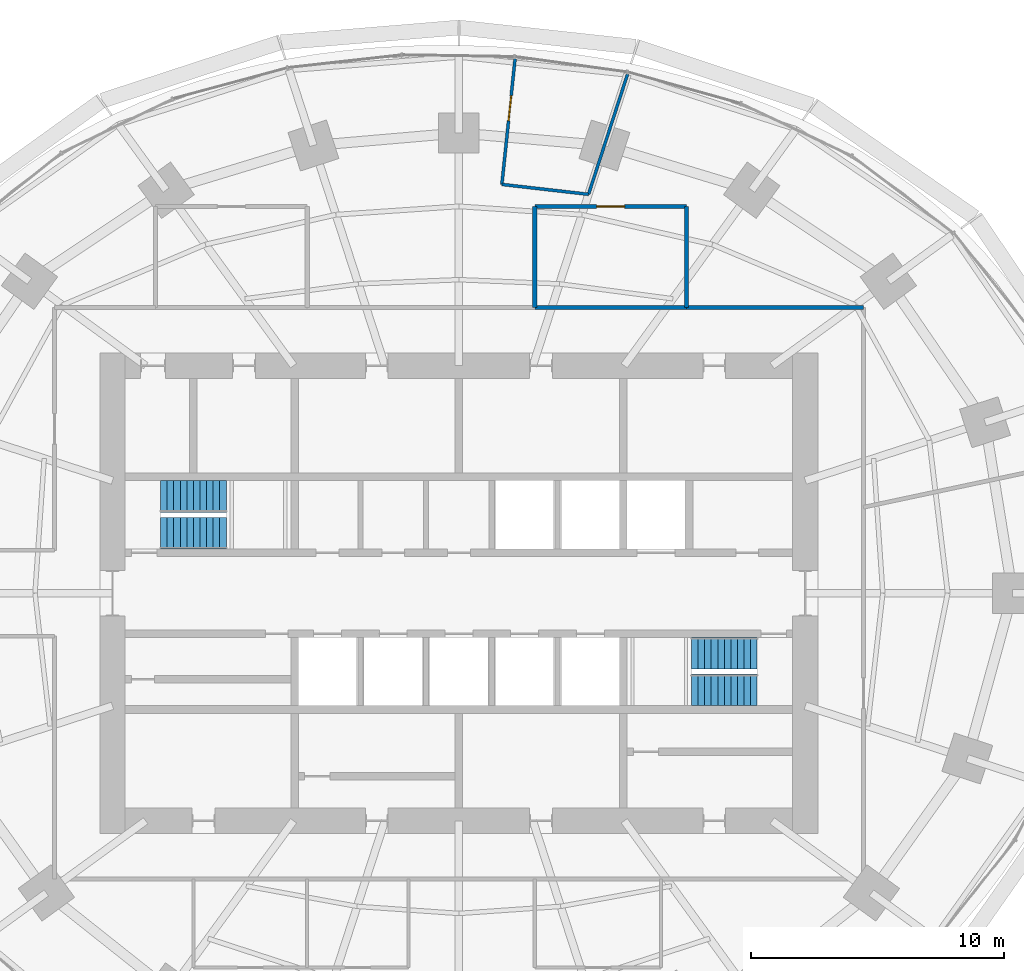
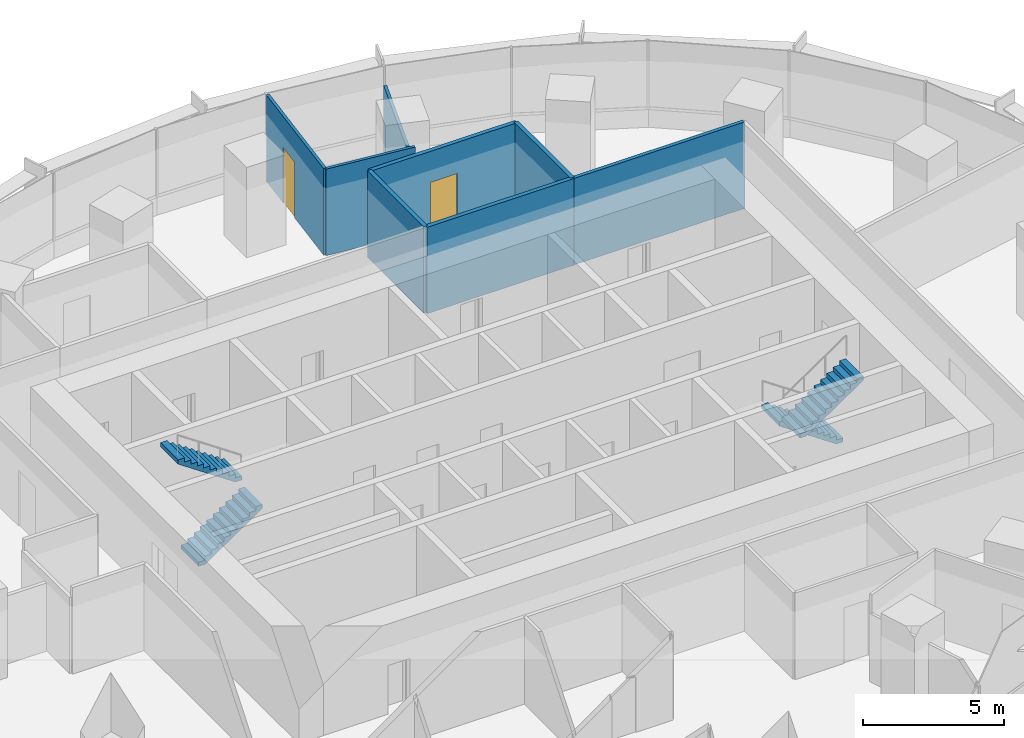
# One storey, part 12 of 14: 8 walls, 4 stair flights, 2 doors, 2 openings, 2 elements without a shape of their own.
"""IFC4 building model written with IfcOpenShell, lengths in metres."""

from ifc_helpers import new_model, si_unit, direction, frame, frame_2d, origin, place, context, subcontext, project, spatial, polyline, rectangle, outline, extrude, material, layer, layer_set, type_object, element, fill, aggregate, save


model = new_model("IFC4")

# Units and contexts
model_context = context("Model", 3, precision=1e-05, world=origin(), true_north=direction((0.0, 1.0)))
body_context = subcontext(model_context, "Body", "Model", "MODEL_VIEW")
ifc_project = project(units=[si_unit("LENGTHUNIT", "METRE"), si_unit("AREAUNIT", "SQUARE_METRE"), si_unit("VOLUMEUNIT", "CUBIC_METRE"), si_unit("PLANEANGLEUNIT", "RADIAN"), si_unit("MASSUNIT", "GRAM", prefix="KILO")], contexts=[model_context])

# Site, building, storey
site_placement = place(None, origin())
site = spatial("IfcSite", under=ifc_project, at=site_placement, CompositionType="ELEMENT")
building_placement = place(site_placement, origin())
building = spatial("IfcBuilding", under=site, at=building_placement, Name="Marramba Exchange Tower", CompositionType="ELEMENT")
storey_placement = place(building_placement, frame((0.0, 0.0, 108.0)))
storey = spatial("IfcBuildingStorey", under=building, at=storey_placement, Name="L25", CompositionType="ELEMENT", Elevation=108.0)

# Walls
ifc_material_1 = material(Name="Plasterboard on staggered double steel studs, acoustic insulation", Category="steel")
ifc_layer_1 = layer(ifc_material_1, 0.169921875)
ifc_layer_set_1 = layer_set([ifc_layer_1], Name="Acoustic partition 170")
wall_type_1 = type_object("IfcWallType", Name="Acoustic partition 170", PredefinedType="PARTITIONING", material=ifc_layer_set_1)
wall_1_placement = place(storey_placement, frame((9.0, 11.300048828125, 0.0), z_axis=(0.0, 0.0, 1.0), x_axis=(0.0, 1.0, 0.0)))
element("IfcWall", 1, at=wall_1_placement, inside=storey, type_object=wall_type_1, Name="Acoustic partition L25 20", PredefinedType="PARTITIONING", context=body_context, shape_type="SweptSolid", body=[
    extrude(rectangle(XDim=4.0, YDim=0.169921875, at=frame_2d((2.0, 0.0))), origin(), (0.0, 0.0, 1.0), 3.739990234375),
])
wall_2_placement = place(storey_placement, frame((3.0, 11.300048828125, 0.0), z_axis=(0.0, 0.0, 1.0), x_axis=(1.0, 0.0, 0.0)))
element("IfcWall", 2, at=wall_2_placement, inside=storey, type_object=wall_type_1, Name="Acoustic partition L25 21", PredefinedType="PARTITIONING", context=body_context, shape_type="SweptSolid", body=[
    extrude(rectangle(XDim=6.0, YDim=0.169921875, at=frame_2d((3.0, 0.0))), origin(), (0.0, 0.0, 1.0), 3.739990234375),
])

# Wall, opening, door
wall_3_placement = place(storey_placement, frame((9.0, 15.300048828125, 0.0), z_axis=(0.0, 0.0, 1.0), x_axis=(-1.0, 0.0, 0.0)))
wall_3 = element("IfcWall", 3, at=wall_3_placement, inside=storey, type_object=wall_type_1, Name="Acoustic partition L25 22", PredefinedType="PARTITIONING", context=body_context, shape_type="SweptSolid", body=[
    extrude(rectangle(XDim=6.0, YDim=0.169921875, at=frame_2d((3.0, 0.0))), origin(), (0.0, 0.0, 1.0), 3.739990234375),
])
opening_1_placement = place(wall_3_placement, frame((2.449951171875, 0.0, 0.0)))
opening_1 = element("IfcOpeningElement", 4, at=opening_1_placement, cuts=wall_3, Name="Opening D15", PredefinedType="OPENING", context=body_context, shape_type="SweptSolid", body=[
    extrude(rectangle(XDim=1.10009765625, YDim=2.39990234375, at=frame_2d((0.550048828125, 1.199951171875))), frame((0.0, 0.094970703125, 0.0), z_axis=(0.0, -1.0, 0.0), x_axis=(1.0, 0.0, 0.0)), (0.0, 0.0, 1.0), 0.18994140625),
])
ifc_material_2 = material(Name="Timber door", Category="wood")
door_type_1 = type_object("IfcDoorType", Name="Glazed meeting room door 1100x2400", OperationType="SINGLE_SWING_LEFT", PredefinedType="DOOR", material=ifc_material_2)
door_1_placement = place(opening_1_placement, origin())
door_1 = element("IfcDoor", 5, at=door_1_placement, inside=storey, type_object=door_type_1, Name="D15 Meeting Room 1 L25", OperationType="SINGLE_SWING_RIGHT", OverallHeight=2.39990234375, OverallWidth=1.10009765625, PredefinedType="DOOR", context=body_context, shape_type="SweptSolid", body=[
    extrude(rectangle(XDim=1.10009765625, YDim=2.39990234375, at=frame_2d((0.550048828125, 1.199951171875))), frame((0.0, 0.02490234375, 0.0), z_axis=(0.0, -1.0, 0.0), x_axis=(1.0, 0.0, 0.0)), (0.0, 0.0, 1.0), 0.050048828125),
])
fill(opening_1, door_1)

# Walls
wall_4_placement = place(storey_placement, frame((3.0, 15.300048828125, 0.0), z_axis=(0.0, 0.0, 1.0), x_axis=(0.0, -1.0, 0.0)))
element("IfcWall", 6, at=wall_4_placement, inside=storey, type_object=wall_type_1, Name="Acoustic partition L25 24", PredefinedType="PARTITIONING", context=body_context, shape_type="SweptSolid", body=[
    extrude(rectangle(XDim=4.0, YDim=0.169921875, at=frame_2d((2.0, 0.0))), origin(), (0.0, 0.0, 1.0), 3.739990234375),
])
ifc_material_3 = material(Name="Plasterboard on steel studs", Category="steel")
ifc_layer_2 = layer(ifc_material_3, 0.1201171875)
ifc_layer_set_2 = layer_set([ifc_layer_2], Name="Partition 120")
wall_type_2 = type_object("IfcWallType", Name="Partition 120", PredefinedType="PARTITIONING", material=ifc_layer_set_2)
wall_5_placement = place(storey_placement, frame((5.12646484375, 15.77783203125, 0.0), z_axis=(0.0, 0.0, 1.0), x_axis=(0.309026452484, 0.951053443117, 0.0)))
element("IfcWall", 7, at=wall_5_placement, inside=storey, type_object=wall_type_2, Name="Partition L25 23", PredefinedType="PARTITIONING", context=body_context, shape_type="SweptSolid", body=[
    extrude(rectangle(XDim=5.0, YDim=0.1201171875, at=frame_2d((2.5, 0.0))), origin(), (0.0, 0.0, 1.0), 2.93994140625),
])
wall_6_placement = place(storey_placement, frame((1.699462890625, 16.169189453125, 0.0), z_axis=(0.0, 0.0, 1.0), x_axis=(0.993542478944, -0.113460753277, 0.0)))
element("IfcWall", 8, at=wall_6_placement, inside=storey, type_object=wall_type_2, Name="Partition L25 25", PredefinedType="PARTITIONING", context=body_context, shape_type="SweptSolid", body=[
    extrude(rectangle(XDim=3.44921875, YDim=0.1201171875, at=frame_2d((1.724609375, 0.0))), origin(), (0.0, 0.0, 1.0), 3.739990234375),
])

# Wall, opening, door
wall_7_placement = place(storey_placement, frame((2.22216796875, 21.1416015625, 0.0), z_axis=(0.0, 0.0, 1.0), x_axis=(-0.104544982588, -0.994520158979, 0.0)))
wall_7 = element("IfcWall", 9, at=wall_7_placement, inside=storey, type_object=wall_type_2, Name="Partition L25 26", PredefinedType="PARTITIONING", context=body_context, shape_type="SweptSolid", body=[
    extrude(rectangle(XDim=4.999755859375, YDim=0.1201171875, at=frame_2d((2.5, 0.0))), origin(), (0.0, 0.0, 1.0), 3.739990234375),
])
opening_2_placement = place(wall_7_placement, frame((1.467041015625, 0.0, 0.0)))
opening_2 = element("IfcOpeningElement", 10, at=opening_2_placement, cuts=wall_7, Name="Opening D9", PredefinedType="OPENING", context=body_context, shape_type="SweptSolid", body=[
    extrude(rectangle(XDim=1.0, YDim=2.39990234375, at=frame_2d((0.5, 1.199951171875))), frame((0.0, 0.070068359375, 0.0), z_axis=(0.0, -1.0, 0.0), x_axis=(1.0, 0.0, 0.0)), (0.0, 0.0, 1.0), 0.14013671875),
])
door_type_2 = type_object("IfcDoorType", Name="Room door 1000x2400", OperationType="SINGLE_SWING_LEFT", PredefinedType="DOOR", material=ifc_material_2)
door_2_placement = place(opening_2_placement, origin())
door_2 = element("IfcDoor", 11, at=door_2_placement, inside=storey, type_object=door_type_2, Name="D9 Office 3 L25", OperationType="SINGLE_SWING_LEFT", OverallHeight=2.39990234375, OverallWidth=1.0, PredefinedType="DOOR", context=body_context, shape_type="SweptSolid", body=[
    extrude(rectangle(XDim=1.0, YDim=2.39990234375, at=frame_2d((0.5, 1.199951171875))), frame((0.0, 0.02490234375, 0.0), z_axis=(0.0, -1.0, 0.0), x_axis=(1.0, 0.0, 0.0)), (0.0, 0.0, 1.0), 0.050048828125),
])
fill(opening_2, door_2)

# Wall
ifc_material_4 = material(Name="Fire-rated plasterboard on steel studs, acoustic insulation", Category="steel")
ifc_layer_3 = layer(ifc_material_4, 0.14990234375)
ifc_layer_set_3 = layer_set([ifc_layer_3], Name="Tenancy wall 150")
wall_type_3 = type_object("IfcWallType", Name="Tenancy wall 150", PredefinedType="PARTITIONING", material=ifc_layer_set_3)
wall_8_placement = place(storey_placement, frame((16.0, 11.300048828125, 0.0), z_axis=(0.0, 0.0, 1.0), x_axis=(-1.0, 0.0, 0.0)))
element("IfcWall", 12, at=wall_8_placement, inside=storey, type_object=wall_type_3, Name="Tenancy wall L25 19", PredefinedType="PARTITIONING", context=body_context, shape_type="SweptSolid", body=[
    extrude(rectangle(XDim=7.0, YDim=0.14990234375, at=frame_2d((3.5, 0.0))), origin(), (0.0, 0.0, 1.0), 3.739990234375),
])

# Stair, stair flights
ifc_material_5 = material(Name="Concrete N40 (40 MPa)", Category="concrete")
stair_type_1 = type_object("IfcStairType", Name="Exit stair ST1 3900 x 1250", PredefinedType="HALF_TURN_STAIR", material=ifc_material_5)
stair_1_placement = place(storey_placement, origin())
stair_1 = element("IfcStair", 13, at=stair_1_placement, inside=storey, type_object=stair_type_1, Name="Exit stair ST1 L25", PredefinedType="HALF_TURN_STAIR")
stair_flight_type_1 = type_object("IfcStairFlightType", Name="ST1 stair flight 1773 riser 1250 wide", PredefinedType="STRAIGHT", material=ifc_material_5)
stair_flight_1_placement = place(storey_placement, frame((-11.800048828125, 2.375, 0.0), z_axis=(0.0, 0.0, 1.0), x_axis=(1.0, 0.0, 0.0)))
stair_flight_1 = element("IfcStairFlight", 14, at=stair_flight_1_placement, type_object=stair_flight_type_1, Name="ST1 flight 1", NumberOfRisers=11, NumberOfTreads=10, PredefinedType="STRAIGHT", RiserHeight=0.177272727, TreadLength=0.26, context=body_context, shape_type="SweptSolid", body=[
    extrude(outline(polyline([(0.0, 0.0), (0.0, 0.17724609375), (0.260009765625, 0.17724609375), (0.260009765625, 0.3544921875), (0.52001953125, 0.3544921875), (0.52001953125, 0.53173828125), (0.780029296875, 0.53173828125), (0.780029296875, 0.708984375), (1.0400390625, 0.708984375), (1.0400390625, 0.886474609375), (1.300048828125, 0.886474609375), (1.300048828125, 1.063720703125), (1.56005859375, 1.063720703125), (1.56005859375, 1.240966796875), (1.820068359375, 1.240966796875), (1.820068359375, 1.418212890625), (2.080078125, 1.418212890625), (2.080078125, 1.595458984375), (2.340087890625, 1.595458984375), (2.340087890625, 1.772705078125), (2.60009765625, 1.772705078125), (2.60009765625, 1.949951171875), (2.60009765625, 1.59130859375), (0.26611328125, 0.0), (0.0, 0.0)])), frame((0.0, 0.625, 0.0), z_axis=(0.0, -1.0, 0.0), x_axis=(1.0, 0.0, 0.0)), (0.0, 0.0, 1.0), 1.25),
])
stair_flight_2_placement = place(storey_placement, frame((-9.199951171875, 3.824951171875, 1.949951171875), z_axis=(0.0, 0.0, 1.0), x_axis=(-1.0, 0.0, 0.0)))
stair_flight_2 = element("IfcStairFlight", 15, at=stair_flight_2_placement, type_object=stair_flight_type_1, Name="ST1 flight 2", NumberOfRisers=11, NumberOfTreads=10, PredefinedType="STRAIGHT", RiserHeight=0.177272727, TreadLength=0.26, context=body_context, shape_type="SweptSolid", body=[
    extrude(outline(polyline([(0.0, 0.0), (0.0, 0.17724609375), (0.260009765625, 0.17724609375), (0.260009765625, 0.3544921875), (0.52001953125, 0.3544921875), (0.52001953125, 0.53173828125), (0.780029296875, 0.53173828125), (0.780029296875, 0.708984375), (1.0400390625, 0.708984375), (1.0400390625, 0.886474609375), (1.300048828125, 0.886474609375), (1.300048828125, 1.063720703125), (1.56005859375, 1.063720703125), (1.56005859375, 1.240966796875), (1.820068359375, 1.240966796875), (1.820068359375, 1.418212890625), (2.080078125, 1.418212890625), (2.080078125, 1.595458984375), (2.340087890625, 1.595458984375), (2.340087890625, 1.772705078125), (2.60009765625, 1.772705078125), (2.60009765625, 1.949951171875), (2.60009765625, 1.59130859375), (0.26611328125, 0.0), (0.0, 0.0)])), frame((0.0, 0.625, 0.0), z_axis=(0.0, -1.0, 0.0), x_axis=(1.0, 0.0, 0.0)), (0.0, 0.0, 1.0), 1.25),
])
aggregate(stair_1, [stair_flight_1, stair_flight_2])

stair_type_2 = type_object("IfcStairType", Name="Exit stair ST2 3900 x 1250", PredefinedType="HALF_TURN_STAIR", material=ifc_material_5)
stair_2_placement = place(storey_placement, origin())
stair_2 = element("IfcStair", 16, at=stair_2_placement, inside=storey, type_object=stair_type_2, Name="Exit stair ST2 L25", PredefinedType="HALF_TURN_STAIR")
stair_flight_type_2 = type_object("IfcStairFlightType", Name="ST2 stair flight 1773 riser 1250 wide", PredefinedType="STRAIGHT", material=ifc_material_5)
stair_flight_3_placement = place(storey_placement, frame((11.800048828125, -2.375, 0.0), z_axis=(0.0, 0.0, 1.0), x_axis=(-1.0, 0.0, 0.0)))
stair_flight_3 = element("IfcStairFlight", 17, at=stair_flight_3_placement, type_object=stair_flight_type_2, Name="ST2 flight 1", NumberOfRisers=11, NumberOfTreads=10, PredefinedType="STRAIGHT", RiserHeight=0.177272727, TreadLength=0.26, context=body_context, shape_type="SweptSolid", body=[
    extrude(outline(polyline([(0.0, 0.0), (0.0, 0.17724609375), (0.260009765625, 0.17724609375), (0.260009765625, 0.3544921875), (0.52001953125, 0.3544921875), (0.52001953125, 0.53173828125), (0.780029296875, 0.53173828125), (0.780029296875, 0.708984375), (1.0400390625, 0.708984375), (1.0400390625, 0.886474609375), (1.300048828125, 0.886474609375), (1.300048828125, 1.063720703125), (1.56005859375, 1.063720703125), (1.56005859375, 1.240966796875), (1.820068359375, 1.240966796875), (1.820068359375, 1.418212890625), (2.080078125, 1.418212890625), (2.080078125, 1.595458984375), (2.340087890625, 1.595458984375), (2.340087890625, 1.772705078125), (2.60009765625, 1.772705078125), (2.60009765625, 1.949951171875), (2.60009765625, 1.59130859375), (0.26611328125, 0.0), (0.0, 0.0)])), frame((0.0, 0.625, 0.0), z_axis=(0.0, -1.0, 0.0), x_axis=(1.0, 0.0, 0.0)), (0.0, 0.0, 1.0), 1.25),
])
stair_flight_4_placement = place(storey_placement, frame((9.199951171875, -3.824951171875, 1.949951171875), z_axis=(0.0, 0.0, 1.0), x_axis=(1.0, 0.0, 0.0)))
stair_flight_4 = element("IfcStairFlight", 18, at=stair_flight_4_placement, type_object=stair_flight_type_2, Name="ST2 flight 2", NumberOfRisers=11, NumberOfTreads=10, PredefinedType="STRAIGHT", RiserHeight=0.177272727, TreadLength=0.26, context=body_context, shape_type="SweptSolid", body=[
    extrude(outline(polyline([(0.0, 0.0), (0.0, 0.17724609375), (0.260009765625, 0.17724609375), (0.260009765625, 0.3544921875), (0.52001953125, 0.3544921875), (0.52001953125, 0.53173828125), (0.780029296875, 0.53173828125), (0.780029296875, 0.708984375), (1.0400390625, 0.708984375), (1.0400390625, 0.886474609375), (1.300048828125, 0.886474609375), (1.300048828125, 1.063720703125), (1.56005859375, 1.063720703125), (1.56005859375, 1.240966796875), (1.820068359375, 1.240966796875), (1.820068359375, 1.418212890625), (2.080078125, 1.418212890625), (2.080078125, 1.595458984375), (2.340087890625, 1.595458984375), (2.340087890625, 1.772705078125), (2.60009765625, 1.772705078125), (2.60009765625, 1.949951171875), (2.60009765625, 1.59130859375), (0.26611328125, 0.0), (0.0, 0.0)])), frame((0.0, 0.625, 0.0), z_axis=(0.0, -1.0, 0.0), x_axis=(1.0, 0.0, 0.0)), (0.0, 0.0, 1.0), 1.25),
])
aggregate(stair_2, [stair_flight_3, stair_flight_4])

save(model, "model.ifc")
